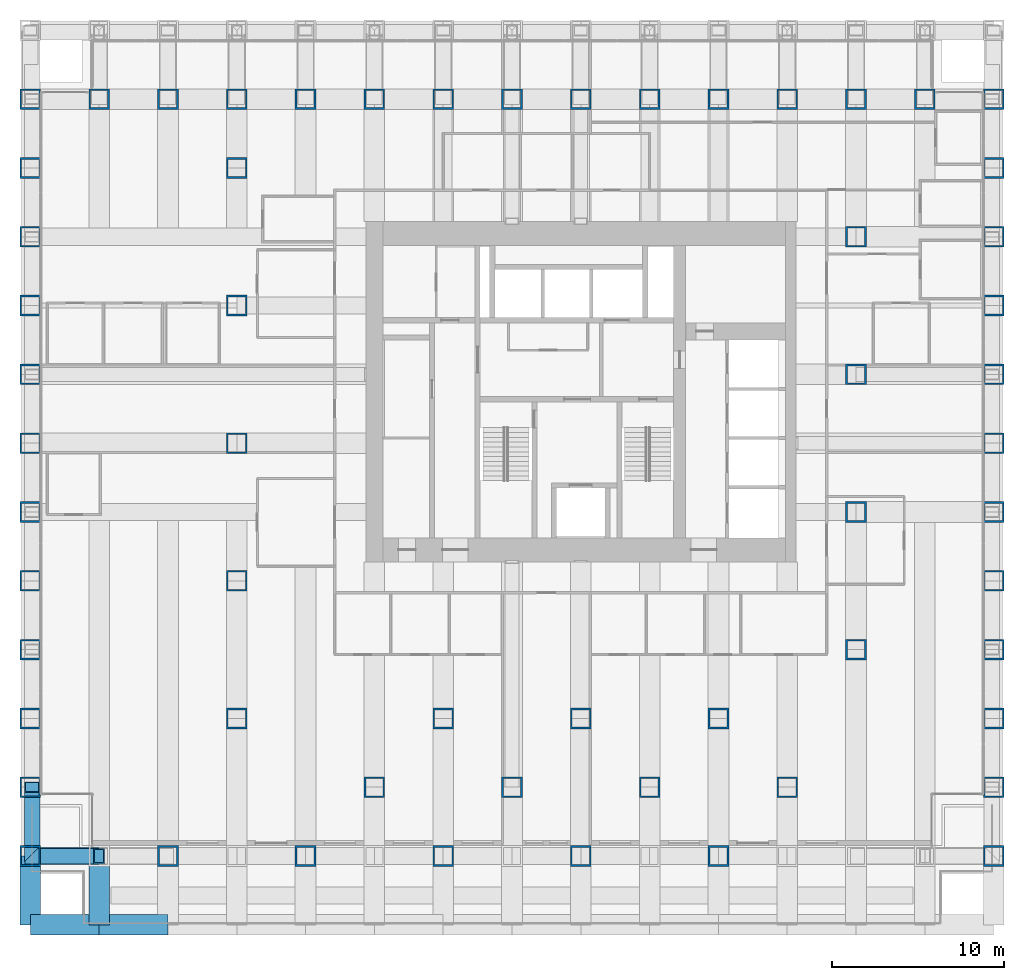
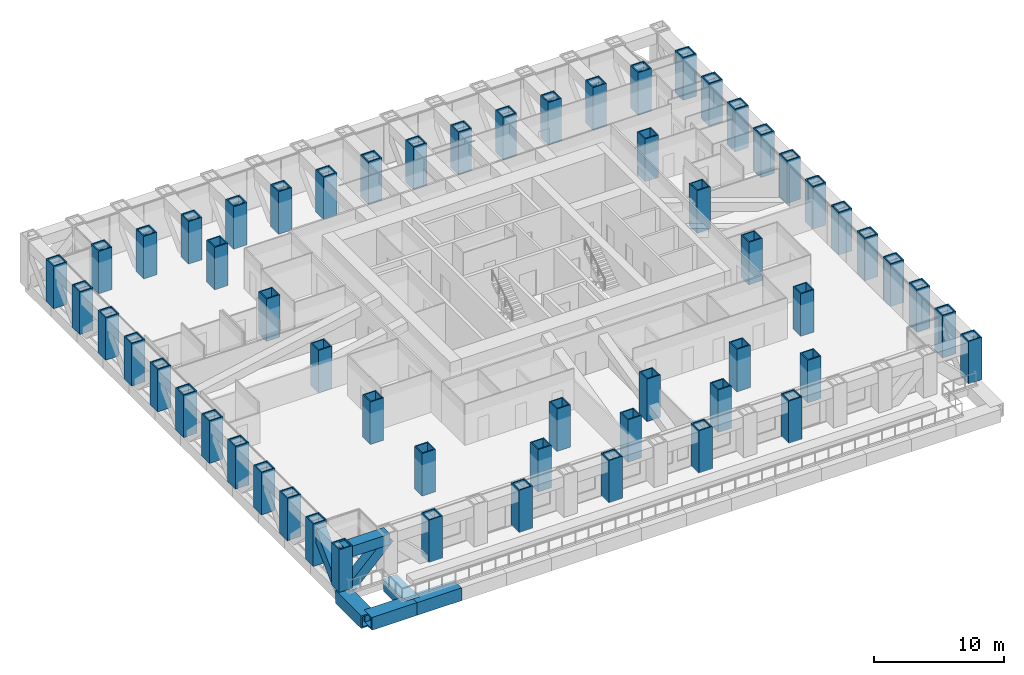
# One storey, part 1 of 18: 58 columns, 5 beams, 2 members.
"""IFC4 building model written with IfcOpenShell, lengths in metres."""

import ifcopenshell
import ifcopenshell.guid

model = None  # the IFC model being written
_history = None  # IfcOwnerHistory: only IFC2X3 demands one
_inside = {}  # id of a spatial element -> (the spatial element, [elements in it])
_under = {}  # id of a project, library or spatial element -> (it, [spatial elements below it])
_declared = {}  # id of a project -> (the project, [libraries it declares])
_typed = {}  # id of a type object -> (the type object, [elements of that type])
_made_of = {}  # id of a material, layer set ... -> (it, [elements and type objects made of it])


def new_model(schema):
    """Start an empty IFC model of exactly this schema.

    Asked for "IFC4X3", IfcOpenShell would pick the latest addendum, in which some entities
    have other attributes; the version numbers below select the first issue.
    IFC2X3 requires an IfcOwnerHistory on every rooted entity: one is made here for all.
    """
    global model, _history
    if schema == "IFC4X3":
        model = ifcopenshell.file(schema_version=(4, 3, 0, 0))
    else:
        model = ifcopenshell.file(schema=schema)
    _inside.clear()
    _under.clear()
    _declared.clear()
    _typed.clear()
    _made_of.clear()
    _history = None
    if model.schema == "IFC2X3":
        org = make("IfcOrganization", Name="unknown")
        user = make(
            "IfcPersonAndOrganization",
            ThePerson=make("IfcPerson", FamilyName="unknown"),
            TheOrganization=org,
        )
        app = make(
            "IfcApplication",
            ApplicationDeveloper=org,
            Version="unknown",
            ApplicationFullName="unknown",
            ApplicationIdentifier="unknown",
        )
        _history = make(
            "IfcOwnerHistory",
            OwningUser=user,
            OwningApplication=app,
            ChangeAction="ADDED",
            CreationDate=0,
        )
    return model


def make(cls, **values):
    """One entity of the class cls with the attributes given. An attribute that is None is left unset."""
    return model.create_entity(
        cls, **{name: value for name, value in values.items() if value is not None}
    )


def rooted(cls, **values):
    """An entity with a GlobalId (a new one), such as an element, a storey or a relation."""
    return make(cls, GlobalId=ifcopenshell.guid.new(), OwnerHistory=_history, **values)


def si_unit(unit_type, name, prefix=None):
    """IfcSIUnit, for example si_unit("LENGTHUNIT", "METRE", prefix="MILLI")."""
    return make("IfcSIUnit", UnitType=unit_type, Prefix=prefix, Name=name)


def assignment(units):
    """IfcUnitAssignment: the units of a project."""
    return None if units is None else make("IfcUnitAssignment", Units=units)


def point(xyz):
    """IfcCartesianPoint."""
    return None if xyz is None else make("IfcCartesianPoint", Coordinates=xyz)


def direction(xyz):
    """IfcDirection."""
    return None if xyz is None else make("IfcDirection", DirectionRatios=xyz)


def frame(location, z_axis=None, x_axis=None):
    """IfcAxis2Placement3D, a coordinate frame: its origin and axes. An axis left out is left unset."""
    return make(
        "IfcAxis2Placement3D",
        Location=point(location),
        Axis=direction(z_axis),
        RefDirection=direction(x_axis),
    )


def frame_2d(location, x_axis=None):
    """IfcAxis2Placement2D, a coordinate frame in the plane: its origin and x axis."""
    return make(
        "IfcAxis2Placement2D", Location=point(location), RefDirection=direction(x_axis)
    )


def origin():
    """The frame at (0, 0, 0) with its axes left unset."""
    return frame((0.0, 0.0, 0.0))


def origin_2d():
    """The frame at (0, 0) in the plane with its x axis left unset."""
    return frame_2d((0.0, 0.0))


def place(relative_to, where):
    """IfcLocalPlacement: puts the frame where relative to a parent placement (None: the world)."""
    return make(
        "IfcLocalPlacement", PlacementRelTo=relative_to, RelativePlacement=where
    )


def context(
    kind, dimensions, precision=None, world=None, true_north=None, identifier=None
):
    """IfcGeometricRepresentationContext, for example the 3D "Model" context."""
    return make(
        "IfcGeometricRepresentationContext",
        ContextIdentifier=identifier,
        ContextType=kind,
        CoordinateSpaceDimension=dimensions,
        Precision=precision,
        WorldCoordinateSystem=world,
        TrueNorth=true_north,
    )


def subcontext(parent, identifier, kind, view, scale=None):
    """IfcGeometricRepresentationSubContext, for example "Body" below "Model"."""
    return make(
        "IfcGeometricRepresentationSubContext",
        ContextIdentifier=identifier,
        ContextType=kind,
        ParentContext=parent,
        TargetScale=scale,
        TargetView=view,
    )


def project(units=None, contexts=None):
    """IfcProject with its units and contexts."""
    return rooted(
        "IfcProject",
        Name="project",
        RepresentationContexts=contexts,
        UnitsInContext=assignment(units),
    )


def spatial(cls, under=None, at=None, **own):
    """A site, building, storey or space (cls), placed at a placement, below another one or the project."""
    s = rooted(cls, ObjectPlacement=at, **own)
    if under is not None:
        _under.setdefault(under.id(), (under, []))[1].append(s)
    return s


def profile(cls, at=None, kind="AREA", **sizes):
    """A parametric profile (cls). Its sizes go by their IFC names, for example OverallWidth=200.0."""
    return make(cls, ProfileType=kind, Position=at, **sizes)


def hollow_rectangle(**sizes):
    """IfcRectangleHollowProfileDef."""
    return profile("IfcRectangleHollowProfileDef", **sizes)


def extrude(swept, where, along, depth):
    """IfcExtrudedAreaSolid: the profile swept, set in the frame where, extruded along a direction by depth."""
    return make(
        "IfcExtrudedAreaSolid",
        SweptArea=swept,
        Position=where,
        ExtrudedDirection=direction(along),
        Depth=depth,
    )


def shape(context_of_items, identifier, shape_type, items):
    """IfcShapeRepresentation: the items that make up one representation, for example the "Body"."""
    return make(
        "IfcShapeRepresentation",
        ContextOfItems=context_of_items,
        RepresentationIdentifier=identifier,
        RepresentationType=shape_type,
        Items=items,
    )


def material(Name=None, Category=None):
    """IfcMaterial."""
    return make("IfcMaterial", Name=Name, Category=Category)


def material_profile(
    of_material, cross_section, Name=None, Category=None, Priority=None
):
    """IfcMaterialProfile: a cross section and its material."""
    return make(
        "IfcMaterialProfile",
        Name=Name,
        Material=of_material,
        Profile=cross_section,
        Priority=Priority,
        Category=Category,
    )


def profile_set(profiles, Name=None, composite=None):
    """IfcMaterialProfileSet."""
    return make(
        "IfcMaterialProfileSet",
        Name=Name,
        MaterialProfiles=profiles,
        CompositeProfile=composite,
    )


def made_of(thing, what):
    """Note that an element or type object is made of a material, layer set ...; save() writes the relation."""
    if what is not None:
        _made_of.setdefault(what.id(), (what, []))[1].append(thing)
    return thing


def type_object(cls, material=None, **own):
    """A type object (cls), such as IfcWallType, which elements share."""
    return made_of(rooted(cls, **own), material)


def element(
    cls,
    number,
    at=None,
    inside=None,
    cuts=None,
    type_object=None,
    material=None,
    context=None,
    identifier="Body",
    shape_type=None,
    held_by="IfcProductDefinitionShape",
    body=None,
    shapes=None,
    **own,
):
    """One element of the class cls, such as IfcWall. Its Tag is "e" and its number.

    at: its placement. inside: the storey or other place that contains it. cuts: it is an
    opening in that element (IfcRelVoidsElement). A single representation is given by context,
    identifier, shape_type and body (its items); several are given by shapes. held_by: the class
    of the entity that holds the representations. save() writes the other relations.
    """
    e = rooted(cls, Tag="e%d" % number, ObjectPlacement=at, **own)
    if body is not None:
        shapes = [shape(context, identifier, shape_type, body)]
    if shapes is not None:
        e.Representation = make(held_by, Representations=shapes)
    if inside is not None:
        _inside.setdefault(inside.id(), (inside, []))[1].append(e)
    if cuts is not None:
        rooted(
            "IfcRelVoidsElement", RelatingBuildingElement=cuts, RelatedOpeningElement=e
        )
    if type_object is not None:
        _typed.setdefault(type_object.id(), (type_object, []))[1].append(e)
    return made_of(e, material)


def aggregate(whole, parts):
    """IfcRelAggregates: a whole, such as a stair, and the parts it consists of."""
    return rooted("IfcRelAggregates", RelatingObject=whole, RelatedObjects=parts)


def save(model, path):
    """Write the relations noted so far, then the file.

    IfcRelAggregates (storeys below a building ...), IfcRelContainedInSpatialStructure (elements
    in a storey), IfcRelDefinesByType, IfcRelAssociatesMaterial and IfcRelDeclares: one each for
    every whole, place, type object, material and project.
    """
    for whole, parts in _under.values():
        aggregate(whole, parts)
    for where, things in _inside.values():
        rooted(
            "IfcRelContainedInSpatialStructure",
            RelatedElements=things,
            RelatingStructure=where,
        )
    for kind, things in _typed.values():
        rooted("IfcRelDefinesByType", RelatedObjects=things, RelatingType=kind)
    for what, things in _made_of.values():
        rooted("IfcRelAssociatesMaterial", RelatedObjects=things, RelatingMaterial=what)
    for by, libraries in _declared.values():
        rooted("IfcRelDeclares", RelatingContext=by, RelatedDefinitions=libraries)
    model.write(path)


model = new_model("IFC4")

# Units and contexts
model_context = context("Model", 3, precision=1e-05, world=origin(), true_north=direction((0.0, 1.0)))
body_context = subcontext(model_context, "Body", "Model", "MODEL_VIEW")
ifc_project = project(units=[si_unit("LENGTHUNIT", "METRE"), si_unit("AREAUNIT", "SQUARE_METRE"), si_unit("VOLUMEUNIT", "CUBIC_METRE"), si_unit("PLANEANGLEUNIT", "RADIAN"), si_unit("MASSUNIT", "GRAM", prefix="KILO")], contexts=[model_context])

# Site, building, storey
site_placement = place(None, origin())
site = spatial("IfcSite", under=ifc_project, at=site_placement, CompositionType="ELEMENT")
building_placement = place(site_placement, origin())
building = spatial("IfcBuilding", under=site, at=building_placement, Name="Rimbunsela Tower", CompositionType="ELEMENT")
storey_placement = place(building_placement, frame((0.0, 0.0, 43.0)))
storey = spatial("IfcBuildingStorey", under=building, at=storey_placement, Name="L10", CompositionType="ELEMENT", Elevation=43.0)

# Columns
ifc_material_1 = material(Name="Steel BJ 55 (fy 410 MPa)", Category="steel")
ifc_material_profile_1 = material_profile(ifc_material_1, hollow_rectangle(XDim=1.199951171875, YDim=1.199951171875, WallThickness=0.10009765625, at=origin_2d()), Name="BOX 1200x1200x100")
ifc_profile_set_1 = profile_set([ifc_material_profile_1], Name="Steel BJ 55 (fy 410 MPa)")
column_type_1 = type_object("IfcColumnType", Name="Column BOX 1200x1200x100", PredefinedType="COLUMN", material=ifc_profile_set_1)
for number, where, z_axis, x_axis, name in (
    (1, (10.0, 8.0, 0.0), (0.0, 0.0, 1.0), (1.0, 0.0, 0.0), "Column C7 5/D L10"),
    (2, (10.0, 16.0, 0.0), (0.0, 0.0, 1.0), (1.0, 0.0, 0.0), "Column C7 5/F L10"),
    (3, (10.0, 24.0, 0.0), (0.0, 0.0, 1.0), (1.0, 0.0, 0.0), "Column C7 5/H L10"),
    (4, (10.0, 32.0, 0.0), (0.0, 0.0, 1.0), (1.0, 0.0, 0.0), "Column C7 5/K L10"),
    (5, (10.0, 40.0, 0.0), (0.0, 0.0, 1.0), (1.0, 0.0, 0.0), "Column C7 5/M L10"),
    (6, (18.0, 4.0, 0.0), (0.0, 0.0, 1.0), (1.0, 0.0, 0.0), "Column C7 7/C L10"),
    (7, (18.0, 44.0, 0.0), (0.0, 0.0, 1.0), (1.0, 0.0, 0.0), "Column C7 7/N L10"),
    (8, (22.0, 8.0, 0.0), (0.0, 0.0, 1.0), (1.0, 0.0, 0.0), "Column C7 8/D L10"),
    (9, (26.0, 4.0, 0.0), (0.0, 0.0, 1.0), (1.0, 0.0, 0.0), "Column C7 9/C L10"),
    (10, (26.0, 44.0, 0.0), (0.0, 0.0, 1.0), (1.0, 0.0, 0.0), "Column C7 9/N L10"),
    (11, (30.0, 8.0, 0.0), (0.0, 0.0, 1.0), (1.0, 0.0, 0.0), "Column C7 10/D L10"),
    (12, (34.0, 4.0, 0.0), (0.0, 0.0, 1.0), (1.0, 0.0, 0.0), "Column C7 11/C L10"),
    (13, (34.0, 44.0, 0.0), (0.0, 0.0, 1.0), (1.0, 0.0, 0.0), "Column C7 11/N L10"),
    (14, (38.0, 8.0, 0.0), (0.0, 0.0, 1.0), (1.0, 0.0, 0.0), "Column C7 12/D L10"),
    (15, (42.0, 4.0, 0.0), (0.0, 0.0, 1.0), (1.0, 0.0, 0.0), "Column C7 13/C L10"),
    (16, (42.0, 44.0, 0.0), (0.0, 0.0, 1.0), (1.0, 0.0, 0.0), "Column C7 13/N L10"),
    (17, (46.0, 12.0, 0.0), (0.0, 0.0, 1.0), (1.0, 0.0, 0.0), "Column C7 14/E L10"),
    (18, (46.0, 20.0, 0.0), (0.0, 0.0, 1.0), (1.0, 0.0, 0.0), "Column C7 14/G L10"),
    (19, (46.0, 28.0, 0.0), (0.0, 0.0, 1.0), (1.0, 0.0, 0.0), "Column C7 14/J L10"),
    (20, (46.0, 36.0, 0.0), (0.0, 0.0, 1.0), (1.0, 0.0, 0.0), "Column C7 14/L L10"),
    (21, (46.0, 44.0, 0.0), (0.0, 0.0, 1.0), (1.0, 0.0, 0.0), "Column C7 14/N L10"),
):
    element("IfcColumn", number, at=place(storey_placement, frame(where, z_axis=z_axis, x_axis=x_axis)), inside=storey, type_object=column_type_1, Name=name, PredefinedType="COLUMN", context=body_context, shape_type="SweptSolid", body=[
        extrude(hollow_rectangle(XDim=1.199951171875, YDim=1.199951171875, WallThickness=0.10009765625, at=origin_2d()), origin(), (0.0, 0.0, 1.0), 4.0),
    ])
ifc_material_2 = material(Name="Steel BJ 55 (fy 410 MPa)", Category="steel")
ifc_material_profile_2 = material_profile(ifc_material_2, hollow_rectangle(XDim=1.199951171875, YDim=1.199951171875, WallThickness=0.10009765625, at=origin_2d()), Name="BOX 1200x1200x100")
ifc_profile_set_2 = profile_set([ifc_material_profile_2], Name="Steel BJ 55 (fy 410 MPa)")
column_type_2 = type_object("IfcColumnType", Name="Truss column BOX 1200x1200x100", PredefinedType="USERDEFINED", material=ifc_profile_set_2)
for number, where, z_axis, x_axis, name in (
    (22, (-2.0, 0.0, 0.0), (0.0, 0.0, 1.0), (1.0, 0.0, 0.0), "Truss column TV1 2/B L10"),
    (23, (-2.0, 4.0, 0.0), (0.0, 0.0, 1.0), (1.0, 0.0, 0.0), "Truss column TV1 2/C L10"),
    (24, (-2.0, 8.0, 0.0), (0.0, 0.0, 1.0), (1.0, 0.0, 0.0), "Truss column TV1 2/D L10"),
    (25, (-2.0, 12.0, 0.0), (0.0, 0.0, 1.0), (1.0, 0.0, 0.0), "Truss column TV1 2/E L10"),
    (26, (-2.0, 16.0, 0.0), (0.0, 0.0, 1.0), (1.0, 0.0, 0.0), "Truss column TV1 2/F L10"),
    (27, (-2.0, 20.0, 0.0), (0.0, 0.0, 1.0), (1.0, 0.0, 0.0), "Truss column TV1 2/G L10"),
    (28, (-2.0, 24.0, 0.0), (0.0, 0.0, 1.0), (1.0, 0.0, 0.0), "Truss column TV1 2/H L10"),
    (29, (-2.0, 28.0, 0.0), (0.0, 0.0, 1.0), (1.0, 0.0, 0.0), "Truss column TV1 2/J L10"),
    (30, (-2.0, 32.0, 0.0), (0.0, 0.0, 1.0), (1.0, 0.0, 0.0), "Truss column TV1 2/K L10"),
    (31, (-2.0, 36.0, 0.0), (0.0, 0.0, 1.0), (1.0, 0.0, 0.0), "Truss column TV1 2/L L10"),
    (32, (-2.0, 40.0, 0.0), (0.0, 0.0, 1.0), (1.0, 0.0, 0.0), "Truss column TV1 2/M L10"),
    (33, (-2.0, 44.0, 0.0), (0.0, 0.0, 1.0), (1.0, 0.0, 0.0), "Truss column TV1 2/N L10"),
    (34, (6.0, 0.0, 0.0), (0.0, 0.0, 1.0), (1.0, 0.0, 0.0), "Truss column TV1 4/B L10"),
    (35, (14.0, 0.0, 0.0), (0.0, 0.0, 1.0), (1.0, 0.0, 0.0), "Truss column TV1 6/B L10"),
    (36, (22.0, 0.0, 0.0), (0.0, 0.0, 1.0), (1.0, 0.0, 0.0), "Truss column TV1 8/B L10"),
    (37, (30.0, 0.0, 0.0), (0.0, 0.0, 1.0), (1.0, 0.0, 0.0), "Truss column TV1 10/B L10"),
    (38, (38.0, 0.0, 0.0), (0.0, 0.0, 1.0), (1.0, 0.0, 0.0), "Truss column TV1 12/B L10"),
    (39, (54.0, 0.0, 0.0), (0.0, 0.0, 1.0), (1.0, 0.0, 0.0), "Truss column TV1 16/B L10"),
    (40, (54.0, 4.0, 0.0), (0.0, 0.0, 1.0), (1.0, 0.0, 0.0), "Truss column TV1 16/C L10"),
    (41, (54.0, 8.0, 0.0), (0.0, 0.0, 1.0), (1.0, 0.0, 0.0), "Truss column TV1 16/D L10"),
    (42, (54.0, 12.0, 0.0), (0.0, 0.0, 1.0), (1.0, 0.0, 0.0), "Truss column TV1 16/E L10"),
    (43, (54.0, 16.0, 0.0), (0.0, 0.0, 1.0), (1.0, 0.0, 0.0), "Truss column TV1 16/F L10"),
    (44, (54.0, 20.0, 0.0), (0.0, 0.0, 1.0), (1.0, 0.0, 0.0), "Truss column TV1 16/G L10"),
    (45, (54.0, 24.0, 0.0), (0.0, 0.0, 1.0), (1.0, 0.0, 0.0), "Truss column TV1 16/H L10"),
    (46, (54.0, 28.0, 0.0), (0.0, 0.0, 1.0), (1.0, 0.0, 0.0), "Truss column TV1 16/J L10"),
    (47, (54.0, 32.0, 0.0), (0.0, 0.0, 1.0), (1.0, 0.0, 0.0), "Truss column TV1 16/K L10"),
    (48, (54.0, 36.0, 0.0), (0.0, 0.0, 1.0), (1.0, 0.0, 0.0), "Truss column TV1 16/L L10"),
    (49, (54.0, 40.0, 0.0), (0.0, 0.0, 1.0), (1.0, 0.0, 0.0), "Truss column TV1 16/M L10"),
    (50, (54.0, 44.0, 0.0), (0.0, 0.0, 1.0), (1.0, 0.0, 0.0), "Truss column TV1 16/N L10"),
    (51, (2.0, 44.0, 0.0), (0.0, 0.0, 1.0), (1.0, 0.0, 0.0), "Truss column TV1 3/N L10"),
    (52, (6.0, 44.0, 0.0), (0.0, 0.0, 1.0), (1.0, 0.0, 0.0), "Truss column TV1 4/N L10"),
    (53, (10.0, 44.0, 0.0), (0.0, 0.0, 1.0), (1.0, 0.0, 0.0), "Truss column TV1 5/N L10"),
    (54, (14.0, 44.0, 0.0), (0.0, 0.0, 1.0), (1.0, 0.0, 0.0), "Truss column TV1 6/N L10"),
    (55, (22.0, 44.0, 0.0), (0.0, 0.0, 1.0), (1.0, 0.0, 0.0), "Truss column TV1 8/N L10"),
    (56, (30.0, 44.0, 0.0), (0.0, 0.0, 1.0), (1.0, 0.0, 0.0), "Truss column TV1 10/N L10"),
    (57, (38.0, 44.0, 0.0), (0.0, 0.0, 1.0), (1.0, 0.0, 0.0), "Truss column TV1 12/N L10"),
    (58, (50.0, 44.0, 0.0), (0.0, 0.0, 1.0), (1.0, 0.0, 0.0), "Truss column TV1 15/N L10"),
):
    element("IfcColumn", number, at=place(storey_placement, frame(where, z_axis=z_axis, x_axis=x_axis)), inside=storey, type_object=column_type_2, Name=name, ObjectType="TRUSS POST", PredefinedType="USERDEFINED", context=body_context, shape_type="SweptSolid", body=[
        extrude(hollow_rectangle(XDim=1.199951171875, YDim=1.199951171875, WallThickness=0.10009765625, at=origin_2d()), origin(), (0.0, 0.0, 1.0), 4.0),
    ])

# Beams
ifc_material_3 = material(Name="Steel BJ 55 (fy 410 MPa)", Category="steel")
ifc_material_profile_3 = material_profile(ifc_material_3, hollow_rectangle(XDim=1.199951171875, YDim=1.199951171875, WallThickness=0.125, at=origin_2d()), Name="BOX 1200x1200x125")
ifc_profile_set_3 = profile_set([ifc_material_profile_3], Name="Steel BJ 55 (fy 410 MPa)")
beam_type_1 = type_object("IfcBeamType", Name="Beam BOX 1200x1200x125", PredefinedType="BEAM", material=ifc_profile_set_3)
for number, where, z_axis, x_axis, name in (
    (59, (-2.0, -4.0, -0.75), (0.0, 1.0, 0.0), (-1.0, 0.0, 0.0), "Beam B4 L10"),
    (60, (-2.0, -4.0, -0.75), (1.0, 0.0, 0.0), (0.0, 1.0, 0.0), "Beam B4 L10"),
):
    element("IfcBeam", number, at=place(storey_placement, frame(where, z_axis=z_axis, x_axis=x_axis)), inside=storey, type_object=beam_type_1, Name=name, PredefinedType="BEAM", context=body_context, shape_type="SweptSolid", body=[
        extrude(hollow_rectangle(XDim=1.199951171875, YDim=1.199951171875, WallThickness=0.125, at=origin_2d()), origin(), (0.0, 0.0, 1.0), 4.0),
    ])
beam_1_placement = place(storey_placement, frame((2.0, -4.0, -0.75), z_axis=(0.0, 1.0, 0.0), x_axis=(-1.0, 0.0, 0.0)))
element("IfcBeam", 61, at=beam_1_placement, inside=storey, type_object=beam_type_1, Name="Beam B4 L10", PredefinedType="BEAM", context=body_context, shape_type="SweptSolid", body=[
    extrude(hollow_rectangle(XDim=1.199951171875, YDim=1.199951171875, WallThickness=0.125, at=origin_2d()), origin(), (0.0, 0.0, 1.0), 3.5),
])
beam_2_placement = place(storey_placement, frame((2.0, -4.0, -0.75), z_axis=(1.0, 0.0, 0.0), x_axis=(0.0, 1.0, 0.0)))
element("IfcBeam", 62, at=beam_2_placement, inside=storey, type_object=beam_type_1, Name="Beam B4 L10", PredefinedType="BEAM", context=body_context, shape_type="SweptSolid", body=[
    extrude(hollow_rectangle(XDim=1.199951171875, YDim=1.199951171875, WallThickness=0.125, at=origin_2d()), origin(), (0.0, 0.0, 1.0), 4.0),
])
ifc_material_4 = material(Name="Steel BJ 55 (fy 410 MPa)", Category="steel")
ifc_material_profile_4 = material_profile(ifc_material_4, hollow_rectangle(XDim=1.0, YDim=1.0, WallThickness=0.10009765625, at=origin_2d()), Name="BOX 1000x1000x100")
ifc_profile_set_4 = profile_set([ifc_material_profile_4], Name="Steel BJ 55 (fy 410 MPa)")
beam_type_2 = type_object("IfcBeamType", Name="Truss chord BOX 1000x1000x100", PredefinedType="USERDEFINED", material=ifc_profile_set_4)
beam_3_placement = place(storey_placement, frame((-2.0, 0.0, 3.35009765625), z_axis=(1.0, 0.0, 0.0), x_axis=(0.0, 1.0, 0.0)))
element("IfcBeam", 63, at=beam_3_placement, inside=storey, type_object=beam_type_2, Name="Truss top chord TC1 S face L10", ObjectType="TRUSS CHORD", PredefinedType="USERDEFINED", context=body_context, shape_type="SweptSolid", body=[
    extrude(hollow_rectangle(XDim=1.0, YDim=1.0, WallThickness=0.10009765625, at=origin_2d()), origin(), (0.0, 0.0, 1.0), 4.0),
])

# Members
ifc_material_5 = material(Name="Steel BJ 55 (fy 410 MPa)", Category="steel")
ifc_material_profile_5 = material_profile(ifc_material_5, hollow_rectangle(XDim=0.89990234375, YDim=0.89990234375, WallThickness=0.080078125, at=origin_2d()), Name="BOX 900x900x80")
ifc_profile_set_5 = profile_set([ifc_material_profile_5], Name="Steel BJ 55 (fy 410 MPa)")
member_type = type_object("IfcMemberType", Name="Truss diagonal BOX 900x900x80", PredefinedType="BRACE", material=ifc_profile_set_5)
for number, where, z_axis, x_axis, name in (
    (64, (-2.0, 0.0, -0.64990234375), (0.707106781187, 0.0, 0.707106781187), (0.0, 1.0, 0.0), "Truss diagonal TD1 S face L10"),
    (65, (-1.89990234375, 0.0, -0.64990234375), (0.0, 0.707106781187, 0.707106781187), (-1.0, 0.0, 0.0), "Truss diagonal TD1 W face L10"),
):
    element("IfcMember", number, at=place(storey_placement, frame(where, z_axis=z_axis, x_axis=x_axis)), inside=storey, type_object=member_type, Name=name, PredefinedType="BRACE", context=body_context, shape_type="SweptSolid", body=[
        extrude(hollow_rectangle(XDim=0.89990234375, YDim=0.89990234375, WallThickness=0.080078125, at=origin_2d()), origin(), (0.0, 0.0, 1.0), 5.65673828125),
    ])

save(model, "model.ifc")
